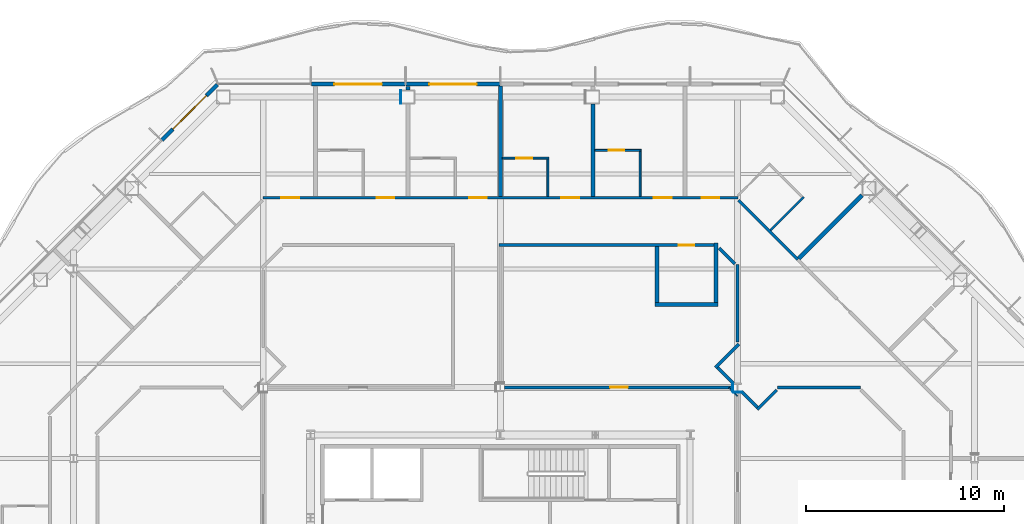
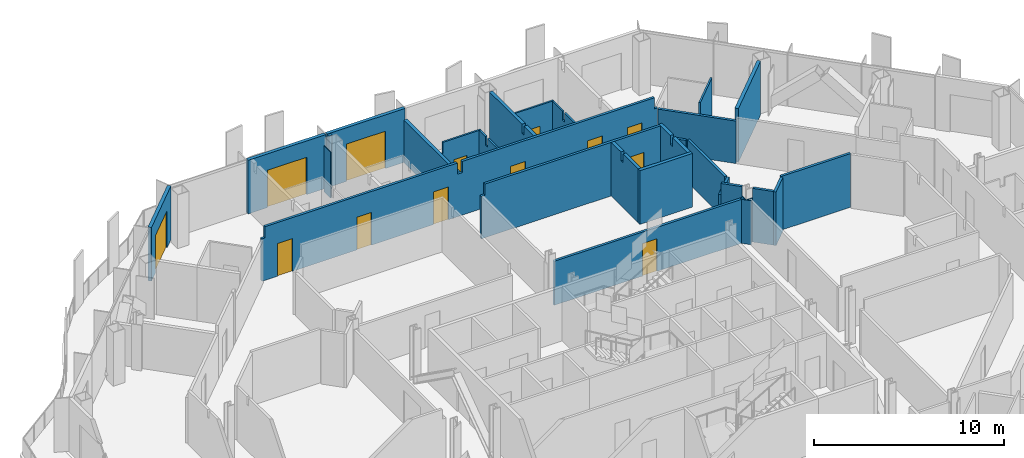
# One storey, part 13 of 21: 30 walls, 13 doors, 13 openings.
"""IFC4 building model written with IfcOpenShell, lengths in metres."""

from ifc_helpers import new_model, si_unit, direction, frame, frame_2d, origin, place, context, subcontext, project, spatial, polyline, rectangle, outline, extrude, material, layer, layer_set, type_object, element, fill, save


model = new_model("IFC4")

# Units and contexts
model_context = context("Model", 3, precision=1e-05, world=origin(), true_north=direction((0.0, 1.0)))
body_context = subcontext(model_context, "Body", "Model", "MODEL_VIEW")
ifc_project = project(units=[si_unit("LENGTHUNIT", "METRE"), si_unit("AREAUNIT", "SQUARE_METRE"), si_unit("VOLUMEUNIT", "CUBIC_METRE"), si_unit("PLANEANGLEUNIT", "RADIAN"), si_unit("MASSUNIT", "GRAM", prefix="KILO")], contexts=[model_context])

# Site, building, storey
site_placement = place(None, origin())
site = spatial("IfcSite", under=ifc_project, at=site_placement, CompositionType="ELEMENT")
building_placement = place(site_placement, origin())
building = spatial("IfcBuilding", under=site, at=building_placement, Name="Cairn Pilgrim Tower", CompositionType="ELEMENT")
storey_placement = place(building_placement, frame((0.0, 0.0, 143.39990234375)))
storey = spatial("IfcBuildingStorey", under=building, at=storey_placement, Name="L35", CompositionType="ELEMENT", Elevation=143.39990234375)

# Wall, opening, door
ifc_material_1 = material(Name="Bronze anodised aluminium insulated sandwich panel with mineral wool fill", Category="aluminium")
ifc_layer_1 = layer(ifc_material_1, 0.199951171875)
ifc_layer_set_1 = layer_set([ifc_layer_1], Name="BRONZE INFILL FRAME WALL 200")
wall_type_1 = type_object("IfcWallType", Name="BRONZE INFILL FRAME WALL 200", PredefinedType="NOTDEFINED", material=ifc_layer_set_1)
wall_1_placement = place(storey_placement, frame((7.169921875, 28.550048828125, 0.0), z_axis=(0.0, 0.0, 1.0), x_axis=(-1.0, 0.0, 0.0)))
wall_1 = element("IfcWall", 1, at=wall_1_placement, inside=storey, type_object=wall_type_1, Name="Bronze infill frame wall IW-N4", PredefinedType="NOTDEFINED", context=body_context, shape_type="SweptSolid", body=[
    extrude(rectangle(XDim=4.739990234375, YDim=0.199951171875, at=frame_2d((2.3701171875, 0.0))), origin(), (0.0, 0.0, 1.0), 3.4501953125),
])
opening_1_placement = place(wall_1_placement, frame((1.169921875, 0.0, 0.0)))
opening_1 = element("IfcOpeningElement", 2, at=opening_1_placement, cuts=wall_1, Name="Opening 3513B", PredefinedType="OPENING", context=body_context, shape_type="SweptSolid", body=[
    extrude(rectangle(XDim=2.39990234375, YDim=2.39990234375, at=frame_2d((1.199951171875, 1.199951171875))), frame((0.0, 0.10986328125, 0.0), z_axis=(0.0, -1.0, 0.0), x_axis=(1.0, 0.0, 0.0)), (0.0, 0.0, 1.0), 0.219970703125),
])
ifc_material_2 = material(Name="Bronze anodised aluminium frame with tinted low-E glass", Category="aluminium")
door_type_1 = type_object("IfcDoorType", Name="BALCONY SLIDING DOOR 2400x2400", OperationType="DOUBLE_DOOR_SLIDING", PredefinedType="DOOR", material=ifc_material_2)
door_1_placement = place(opening_1_placement, origin())
door_1 = element("IfcDoor", 3, at=door_1_placement, inside=storey, type_object=door_type_1, Name="Balcony sliding door 3513B", OperationType="SINGLE_SWING_LEFT", OverallHeight=2.39990234375, OverallWidth=2.39990234375, PredefinedType="DOOR", context=body_context, shape_type="SweptSolid", body=[
    extrude(rectangle(XDim=2.39990234375, YDim=2.39990234375, at=frame_2d((1.199951171875, 1.199951171875))), frame((0.0, 0.02490234375, 0.0), z_axis=(0.0, -1.0, 0.0), x_axis=(1.0, 0.0, 0.0)), (0.0, 0.0, 1.0), 0.050048828125),
])
fill(opening_1, door_1)

wall_2_placement = place(storey_placement, frame((2.3701171875, 28.550048828125, 0.0), z_axis=(0.0, 0.0, 1.0), x_axis=(-1.0, 0.0, 0.0)))
wall_2 = element("IfcWall", 4, at=wall_2_placement, inside=storey, type_object=wall_type_1, Name="Bronze infill frame wall IW-N5", PredefinedType="NOTDEFINED", context=body_context, shape_type="SweptSolid", body=[
    extrude(rectangle(XDim=4.740234375, YDim=0.199951171875, at=frame_2d((2.3701171875, 0.0))), origin(), (0.0, 0.0, 1.0), 3.4501953125),
])
opening_2_placement = place(wall_2_placement, frame((1.169677734375, 0.0, 0.0)))
opening_2 = element("IfcOpeningElement", 5, at=opening_2_placement, cuts=wall_2, Name="Opening 3514B", PredefinedType="OPENING", context=body_context, shape_type="SweptSolid", body=[
    extrude(rectangle(XDim=2.39990234375, YDim=2.39990234375, at=frame_2d((1.199951171875, 1.199951171875))), frame((0.0, 0.10986328125, 0.0), z_axis=(0.0, -1.0, 0.0), x_axis=(1.0, 0.0, 0.0)), (0.0, 0.0, 1.0), 0.219970703125),
])
door_2_placement = place(opening_2_placement, origin())
door_2 = element("IfcDoor", 6, at=door_2_placement, inside=storey, type_object=door_type_1, Name="Balcony sliding door 3514B", OperationType="SINGLE_SWING_LEFT", OverallHeight=2.39990234375, OverallWidth=2.39990234375, PredefinedType="DOOR", context=body_context, shape_type="SweptSolid", body=[
    extrude(rectangle(XDim=2.39990234375, YDim=2.39990234375, at=frame_2d((1.199951171875, 1.199951171875))), frame((0.0, 0.02490234375, 0.0), z_axis=(0.0, -1.0, 0.0), x_axis=(1.0, 0.0, 0.0)), (0.0, 0.0, 1.0), 0.050048828125),
])
fill(opening_2, door_2)

wall_3_placement = place(storey_placement, frame((-7.124755859375, 28.521728515625, 0.0), z_axis=(0.0, 0.0, 1.0), x_axis=(-0.707106781187, -0.707106781187, 0.0)))
wall_3 = element("IfcWall", 7, at=wall_3_placement, inside=storey, type_object=wall_type_1, Name="Bronze infill frame wall IW-NW1", PredefinedType="NOTDEFINED", context=body_context, shape_type="SweptSolid", body=[
    extrude(rectangle(XDim=3.961669921875, YDim=0.199951171875, at=frame_2d((1.98095703125, 0.0))), origin(), (0.0, 0.0, 1.0), 3.4501953125),
])
opening_3_placement = place(wall_3_placement, frame((0.775390625, 0.0, 0.0)))
opening_3 = element("IfcOpeningElement", 8, at=opening_3_placement, cuts=wall_3, Name="Opening 3515B", PredefinedType="OPENING", context=body_context, shape_type="SweptSolid", body=[
    extrude(rectangle(XDim=2.39990234375, YDim=2.39990234375, at=frame_2d((1.199951171875, 1.199951171875))), frame((0.0, 0.10986328125, 0.0), z_axis=(0.0, -1.0, 0.0), x_axis=(1.0, 0.0, 0.0)), (0.0, 0.0, 1.0), 0.219970703125),
])
door_3_placement = place(opening_3_placement, origin())
door_3 = element("IfcDoor", 9, at=door_3_placement, inside=storey, type_object=door_type_1, Name="Balcony sliding door 3515B", OperationType="SINGLE_SWING_LEFT", OverallHeight=2.39990234375, OverallWidth=2.39990234375, PredefinedType="DOOR", context=body_context, shape_type="SweptSolid", body=[
    extrude(rectangle(XDim=2.39990234375, YDim=2.39990234375, at=frame_2d((1.199951171875, 1.199951171875))), frame((0.0, 0.02490234375, 0.0), z_axis=(0.0, -1.0, 0.0), x_axis=(1.0, 0.0, 0.0)), (0.0, 0.0, 1.0), 0.050048828125),
])
fill(opening_3, door_3)

# Walls
ifc_material_3 = material(Name="Gypsum partition")
ifc_layer_2 = layer(ifc_material_3, 0.10009765625)
ifc_layer_set_2 = layer_set([ifc_layer_2], Name="PARTITION 100 DRYWALL")
wall_type_2 = type_object("IfcWallType", Name="PARTITION 100 DRYWALL", PredefinedType="PARTITIONING", material=ifc_layer_set_2)
wall_4_placement = place(storey_placement, frame((20.864990234375, 21.156005859375, 0.0), z_axis=(0.0, 0.0, 1.0), x_axis=(0.707106781187, 0.707106781187, 0.0)))
element("IfcWall", 10, at=wall_4_placement, inside=storey, type_object=wall_type_2, Name="PARTITION W110", PredefinedType="PARTITIONING", context=body_context, shape_type="SweptSolid", body=[
    extrude(rectangle(XDim=2.374755859375, YDim=0.10009765625, at=frame_2d((1.1875, 0.0))), origin(), (0.0, 0.0, 1.0), 3.4501953125),
])
wall_5_placement = place(storey_placement, frame((9.60009765625, 22.875, 0.0), z_axis=(0.0, 0.0, 1.0), x_axis=(0.0, 1.0, 0.0)))
element("IfcWall", 11, at=wall_5_placement, inside=storey, type_object=wall_type_2, Name="PARTITION W121", PredefinedType="PARTITIONING", context=body_context, shape_type="SweptSolid", body=[
    extrude(outline(polyline([(0.0, 0.0), (1.875, 0.0), (1.875, 3.4501953125), (1.22998046875, 3.4501953125), (1.22802734375, 2.880126953125), (1.02001953125, 2.880126953125), (1.01806640625, 3.4501953125), (0.0, 3.4501953125), (0.0, 0.0)])), frame((0.0, 0.050048828125, 0.0), z_axis=(0.0, -1.0, 0.0), x_axis=(1.0, 0.0, 0.0)), (0.0, 0.0, 1.0), 0.10009765625),
])
wall_6_placement = place(storey_placement, frame((14.27587890625, 22.875, 0.0), z_axis=(0.0, 0.0, 1.0), x_axis=(0.0, 1.0, 0.0)))
element("IfcWall", 12, at=wall_6_placement, inside=storey, type_object=wall_type_2, Name="PARTITION W123", PredefinedType="PARTITIONING", context=body_context, shape_type="SweptSolid", body=[
    extrude(outline(polyline([(0.0, 0.0), (2.27490234375, 0.0), (2.27490234375, 3.4501953125), (1.22998046875, 3.4501953125), (1.22802734375, 2.880126953125), (1.02001953125, 2.880126953125), (1.01806640625, 3.4501953125), (0.0, 3.4501953125), (0.0, 0.0)])), frame((0.0, 0.050048828125, 0.0), z_axis=(0.0, -1.0, 0.0), x_axis=(1.0, 0.0, 0.0)), (0.0, 0.0, 1.0), 0.10009765625),
])

# Wall, opening, door
wall_7_placement = place(storey_placement, frame((7.300048828125, 24.800048828125, 0.0), z_axis=(0.0, 0.0, 1.0), x_axis=(1.0, 0.0, 0.0)))
wall_7 = element("IfcWall", 13, at=wall_7_placement, inside=storey, type_object=wall_type_2, Name="PARTITION W127", PredefinedType="PARTITIONING", context=body_context, shape_type="SweptSolid", body=[
    extrude(outline(polyline([(0.0, 0.0), (2.349853515625, 0.0), (2.35009765625, 3.4501953125), (0.050048828125, 3.4501953125), (0.048095703125, 2.72998046875), (0.0, 2.72998046875), (0.0, 0.0)])), frame((0.0, 0.050048828125, 0.0), z_axis=(0.0, -1.0, 0.0), x_axis=(1.0, 0.0, 0.0)), (0.0, 0.0, 1.0), 0.10009765625),
])
opening_4_placement = place(wall_7_placement, frame((0.699951171875, 0.0, 0.0)))
opening_4 = element("IfcOpeningElement", 14, at=opening_4_placement, cuts=wall_7, Name="Opening 3512A", PredefinedType="OPENING", context=body_context, shape_type="SweptSolid", body=[
    extrude(rectangle(XDim=0.800048828125, YDim=2.10009765625, at=frame_2d((0.39990234375, 1.050048828125))), frame((0.0, 0.06005859375, 0.0), z_axis=(0.0, -1.0, 0.0), x_axis=(1.0, 0.0, 0.0)), (0.0, 0.0, 1.0), 0.1201171875),
])
ifc_material_4 = material(Name="Timber door leaf", Category="wood")
door_type_2 = type_object("IfcDoorType", Name="WC DOOR 800x2100", OperationType="NOTDEFINED", PredefinedType="DOOR", material=ifc_material_4)
door_4_placement = place(opening_4_placement, origin())
door_4 = element("IfcDoor", 15, at=door_4_placement, inside=storey, type_object=door_type_2, Name="DOOR 3512A", OperationType="SINGLE_SWING_RIGHT", OverallHeight=2.10009765625, OverallWidth=0.800048828125, PredefinedType="DOOR", context=body_context, shape_type="SweptSolid", body=[
    extrude(rectangle(XDim=0.800048828125, YDim=2.10009765625, at=frame_2d((0.39990234375, 1.050048828125))), frame((0.0, 0.02490234375, 0.0), z_axis=(0.0, -1.0, 0.0), x_axis=(1.0, 0.0, 0.0)), (0.0, 0.0, 1.0), 0.050048828125),
])
fill(opening_4, door_4)

wall_8_placement = place(storey_placement, frame((11.97607421875, 25.199951171875, 0.0), z_axis=(0.0, 0.0, 1.0), x_axis=(1.0, 0.0, 0.0)))
wall_8 = element("IfcWall", 16, at=wall_8_placement, inside=storey, type_object=wall_type_2, Name="PARTITION W129", PredefinedType="PARTITIONING", context=body_context, shape_type="SweptSolid", body=[
    extrude(rectangle(XDim=2.349853515625, YDim=0.10009765625, at=frame_2d((1.1748046875, 0.0))), origin(), (0.0, 0.0, 1.0), 3.4501953125),
])
opening_5_placement = place(wall_8_placement, frame((0.699951171875, 0.0, 0.0)))
opening_5 = element("IfcOpeningElement", 17, at=opening_5_placement, cuts=wall_8, Name="Opening 3511A", PredefinedType="OPENING", context=body_context, shape_type="SweptSolid", body=[
    extrude(rectangle(XDim=0.800048828125, YDim=2.10009765625, at=frame_2d((0.39990234375, 1.050048828125))), frame((0.0, 0.06005859375, 0.0), z_axis=(0.0, -1.0, 0.0), x_axis=(1.0, 0.0, 0.0)), (0.0, 0.0, 1.0), 0.1201171875),
])
door_5_placement = place(opening_5_placement, origin())
door_5 = element("IfcDoor", 18, at=door_5_placement, inside=storey, type_object=door_type_2, Name="DOOR 3511A", OperationType="SINGLE_SWING_RIGHT", OverallHeight=2.10009765625, OverallWidth=0.800048828125, PredefinedType="DOOR", context=body_context, shape_type="SweptSolid", body=[
    extrude(rectangle(XDim=0.800048828125, YDim=2.10009765625, at=frame_2d((0.39990234375, 1.050048828125))), frame((0.0, 0.02490234375, 0.0), z_axis=(0.0, -1.0, 0.0), x_axis=(1.0, 0.0, 0.0)), (0.0, 0.0, 1.0), 0.050048828125),
])
fill(opening_5, door_5)

# Walls
ifc_layer_3 = layer(ifc_material_3, 0.14990234375)
ifc_layer_set_3 = layer_set([ifc_layer_3], Name="PARTITION 150 DRYWALL EI 60")
wall_type_3 = type_object("IfcWallType", Name="PARTITION 150 DRYWALL EI 60", PredefinedType="PARTITIONING", material=ifc_layer_set_3)
wall_9_placement = place(storey_placement, frame((20.2080078125, 12.0859375, 0.0), z_axis=(0.0, 0.0, 1.0), x_axis=(0.706756381459, 0.707457007363, 0.0)))
element("IfcWall", 19, at=wall_9_placement, inside=storey, type_object=wall_type_3, Name="PARTITION W074", PredefinedType="PARTITIONING", context=body_context, shape_type="SweptSolid", body=[
    extrude(rectangle(XDim=1.393798828125, YDim=0.14990234375, at=frame_2d((0.69677734375, 0.0))), origin(), (0.0, 0.0, 1.0), 3.4501953125),
])
wall_10_placement = place(storey_placement, frame((20.2080078125, 12.192138671875, 0.0), z_axis=(0.0, 0.0, 1.0), x_axis=(-0.70721474466, 0.706998801226, 0.0)))
element("IfcWall", 20, at=wall_10_placement, inside=storey, type_object=wall_type_3, Name="PARTITION W076", PredefinedType="PARTITIONING", context=body_context, shape_type="SweptSolid", body=[
    extrude(rectangle(XDim=1.130615234375, YDim=0.14990234375, at=frame_2d((0.5654296875, 0.0))), origin(), (0.0, 0.0, 1.0), 3.4501953125),
])

# Wall, opening, door
wall_11_placement = place(storey_placement, frame((7.404541015625, 13.199951171875, 0.0), z_axis=(0.0, 0.0, 1.0), x_axis=(1.0, 0.0, 0.0)))
wall_11 = element("IfcWall", 21, at=wall_11_placement, inside=storey, type_object=wall_type_3, Name="PARTITION W079", PredefinedType="PARTITIONING", context=body_context, shape_type="SweptSolid", body=[
    extrude(rectangle(XDim=11.591064453125, YDim=0.14990234375, at=frame_2d((5.79541015625, 0.0))), origin(), (0.0, 0.0, 1.0), 2.830078125),
])
opening_6_placement = place(wall_11_placement, frame((5.345458984375, 0.0, 0.0)))
opening_6 = element("IfcOpeningElement", 22, at=opening_6_placement, cuts=wall_11, Name="Opening 3527", PredefinedType="OPENING", context=body_context, shape_type="SweptSolid", body=[
    extrude(rectangle(XDim=0.89990234375, YDim=2.10009765625, at=frame_2d((0.449951171875, 1.050048828125))), frame((0.0, 0.0849609375, 0.0), z_axis=(0.0, -1.0, 0.0), x_axis=(1.0, 0.0, 0.0)), (0.0, 0.0, 1.0), 0.169921875),
])
door_type_3 = type_object("IfcDoorType", Name="SERVICE DOOR 900x2100 FD30S", OperationType="NOTDEFINED", PredefinedType="DOOR", material=ifc_material_4)
door_6_placement = place(opening_6_placement, origin())
door_6 = element("IfcDoor", 23, at=door_6_placement, inside=storey, type_object=door_type_3, Name="DOOR 3527", OperationType="SINGLE_SWING_LEFT", OverallHeight=2.10009765625, OverallWidth=0.89990234375, PredefinedType="DOOR", context=body_context, shape_type="SweptSolid", body=[
    extrude(rectangle(XDim=0.89990234375, YDim=2.10009765625, at=frame_2d((0.449951171875, 1.050048828125))), frame((0.0, 0.02490234375, 0.0), z_axis=(0.0, -1.0, 0.0), x_axis=(1.0, 0.0, 0.0)), (0.0, 0.0, 1.0), 0.050048828125),
])
fill(opening_6, door_6)

# Walls
wall_12_placement = place(storey_placement, frame((21.215087890625, 13.199951171875, 0.0), z_axis=(0.0, 0.0, 1.0), x_axis=(1.0, 0.0, 0.0)))
element("IfcWall", 24, at=wall_12_placement, inside=storey, type_object=wall_type_3, Name="PARTITION W080", PredefinedType="PARTITIONING", context=body_context, shape_type="SweptSolid", body=[
    extrude(rectangle(XDim=4.2119140625, YDim=0.14990234375, at=frame_2d((2.10595703125, 0.0))), origin(), (0.0, 0.0, 1.0), 3.4501953125),
])
wall_13_placement = place(storey_placement, frame((18.991455078125, 13.408447265625, 0.0), z_axis=(0.0, 0.0, 1.0), x_axis=(-0.706998801226, 0.70721474466, 0.0)))
element("IfcWall", 25, at=wall_13_placement, inside=storey, type_object=wall_type_3, Name="PARTITION W085", PredefinedType="PARTITIONING", context=body_context, shape_type="SweptSolid", body=[
    extrude(rectangle(XDim=1.130615234375, YDim=0.14990234375, at=frame_2d((0.5654296875, 0.0))), origin(), (0.0, 0.0, 1.0), 3.4501953125),
])
wall_14_placement = place(storey_placement, frame((18.0859375, 14.2080078125, 0.0), z_axis=(0.0, 0.0, 1.0), x_axis=(0.70739723372, 0.706816209298, 0.0)))
element("IfcWall", 26, at=wall_14_placement, inside=storey, type_object=wall_type_3, Name="PARTITION W087", PredefinedType="PARTITIONING", context=body_context, shape_type="SweptSolid", body=[
    extrude(rectangle(XDim=1.6806640625, YDim=0.14990234375, at=frame_2d((0.84033203125, 0.0))), origin(), (0.0, 0.0, 1.0), 2.72998046875),
])
wall_15_placement = place(storey_placement, frame((19.199951171875, 15.501953125, 0.0), z_axis=(0.0, 0.0, 1.0), x_axis=(0.0, 1.0, 0.0)))
element("IfcWall", 27, at=wall_15_placement, inside=storey, type_object=wall_type_3, Name="PARTITION W093", PredefinedType="PARTITIONING", context=body_context, shape_type="SweptSolid", body=[
    extrude(rectangle(XDim=3.925048828125, YDim=0.14990234375, at=frame_2d((1.96240234375, 0.0))), origin(), (0.0, 0.0, 1.0), 2.72998046875),
])
wall_16_placement = place(storey_placement, frame((19.072021484375, 19.448974609375, 0.0), z_axis=(0.0, 0.0, 1.0), x_axis=(-0.707106781187, 0.707106781187, 0.0)))
element("IfcWall", 28, at=wall_16_placement, inside=storey, type_object=wall_type_3, Name="PARTITION W104", PredefinedType="PARTITIONING", context=body_context, shape_type="SweptSolid", body=[
    extrude(rectangle(XDim=1.12841796875, YDim=0.14990234375, at=frame_2d((0.564208984375, 0.0))), origin(), (0.0, 0.0, 1.0), 2.72998046875),
])
wall_17_placement = place(storey_placement, frame((22.2451171875, 19.669921875, 0.0), z_axis=(0.0, 0.0, 1.0), x_axis=(-0.707106781187, 0.707106781187, 0.0)))
element("IfcWall", 29, at=wall_17_placement, inside=storey, type_object=wall_type_3, Name="PARTITION W106", PredefinedType="PARTITIONING", context=body_context, shape_type="SweptSolid", body=[
    extrude(rectangle(XDim=4.245849609375, YDim=0.14990234375, at=frame_2d((2.123046875, 0.0))), origin(), (0.0, 0.0, 1.0), 2.72998046875),
])

# Wall, opening, door
wall_18_placement = place(storey_placement, frame((7.125, 20.39990234375, 0.0), z_axis=(0.0, 0.0, 1.0), x_axis=(1.0, 0.0, 0.0)))
wall_18 = element("IfcWall", 30, at=wall_18_placement, inside=storey, type_object=wall_type_3, Name="PARTITION W109", PredefinedType="PARTITIONING", context=body_context, shape_type="SweptSolid", body=[
    extrude(outline(polyline([(0.0, 0.0), (10.89599609375, 0.0), (10.89599609375, 3.4501953125), (0.22509765625, 3.4501953125), (0.222900390625, 2.72998046875), (0.0, 2.72998046875), (0.0, 0.0)])), frame((0.0, 0.074951171875, 0.0), z_axis=(0.0, -1.0, 0.0), x_axis=(1.0, 0.0, 0.0)), (0.0, 0.0, 1.0), 0.14990234375),
])
opening_7_placement = place(wall_18_placement, frame((9.095947265625, 0.0, 0.0)))
opening_7 = element("IfcOpeningElement", 31, at=opening_7_placement, cuts=wall_18, Name="Opening 3523", PredefinedType="OPENING", context=body_context, shape_type="SweptSolid", body=[
    extrude(rectangle(XDim=0.800048828125, YDim=2.10009765625, at=frame_2d((0.39990234375, 1.050048828125))), frame((0.0, 0.0849609375, 0.0), z_axis=(0.0, -1.0, 0.0), x_axis=(1.0, 0.0, 0.0)), (0.0, 0.0, 1.0), 0.169921875),
])
door_type_4 = type_object("IfcDoorType", Name="WC DOOR 800x2100 FD30S", OperationType="NOTDEFINED", PredefinedType="DOOR", material=ifc_material_4)
door_7_placement = place(opening_7_placement, frame((0.800048828125, 0.0, 0.0), z_axis=(0.0, 0.0, 1.0), x_axis=(-1.0, 0.0, 0.0)))
door_7 = element("IfcDoor", 32, at=door_7_placement, inside=storey, type_object=door_type_4, Name="DOOR 3523", OperationType="SINGLE_SWING_LEFT", OverallHeight=2.10009765625, OverallWidth=0.800048828125, PredefinedType="DOOR", context=body_context, shape_type="SweptSolid", body=[
    extrude(rectangle(XDim=0.800048828125, YDim=2.10009765625, at=frame_2d((0.39990234375, 1.050048828125))), frame((0.0, 0.02490234375, 0.0), z_axis=(0.0, -1.0, 0.0), x_axis=(1.0, 0.0, 0.0)), (0.0, 0.0, 1.0), 0.050048828125),
])
fill(opening_7, door_7)

# Wall, openings, doors
wall_19_placement = place(storey_placement, frame((-4.821044921875, 22.800048828125, 0.0), z_axis=(0.0, 0.0, 1.0), x_axis=(1.0, 0.0, 0.0)))
wall_19 = element("IfcWall", 33, at=wall_19_placement, inside=storey, type_object=wall_type_3, Name="PARTITION W114", PredefinedType="PARTITIONING", context=body_context, shape_type="SweptSolid", body=[
    extrude(outline(polyline([(0.0, 0.0), (24.0419921875, 0.0), (24.0419921875, 2.72998046875), (23.87109375, 2.72998046875), (23.869140625, 3.4501953125), (12.171142578125, 3.4501953125), (12.169189453125, 2.72998046875), (11.87109375, 2.72998046875), (11.869140625, 3.4501953125), (0.171142578125, 3.4501953125), (0.169189453125, 2.72998046875), (0.0, 2.72998046875), (0.0, 0.0)])), frame((0.0, 0.074951171875, 0.0), z_axis=(0.0, -1.0, 0.0), x_axis=(1.0, 0.0, 0.0)), (0.0, 0.0, 1.0), 0.14990234375),
])
opening_8_placement = place(wall_19_placement, frame((22.205078125, 0.0, 0.0)))
opening_8 = element("IfcOpeningElement", 34, at=opening_8_placement, cuts=wall_19, Name="Opening 3510", PredefinedType="OPENING", context=body_context, shape_type="SweptSolid", body=[
    extrude(rectangle(XDim=0.89990234375, YDim=2.10009765625, at=frame_2d((0.449951171875, 1.050048828125))), frame((0.0, 0.0849609375, 0.0), z_axis=(0.0, -1.0, 0.0), x_axis=(1.0, 0.0, 0.0)), (0.0, 0.0, 1.0), 0.169921875),
])
opening_9_placement = place(wall_19_placement, frame((19.78515625, 0.0, 0.0)))
opening_9 = element("IfcOpeningElement", 35, at=opening_9_placement, cuts=wall_19, Name="Opening 3511", PredefinedType="OPENING", context=body_context, shape_type="SweptSolid", body=[
    extrude(rectangle(XDim=0.89990234375, YDim=2.10009765625, at=frame_2d((0.449951171875, 1.050048828125))), frame((0.0, 0.0849609375, 0.0), z_axis=(0.0, -1.0, 0.0), x_axis=(1.0, 0.0, 0.0)), (0.0, 0.0, 1.0), 0.169921875),
])
opening_10_placement = place(wall_19_placement, frame((15.109130859375, 0.0, 0.0)))
opening_10 = element("IfcOpeningElement", 36, at=opening_10_placement, cuts=wall_19, Name="Opening 3512", PredefinedType="OPENING", context=body_context, shape_type="SweptSolid", body=[
    extrude(rectangle(XDim=0.89990234375, YDim=2.10009765625, at=frame_2d((0.449951171875, 1.050048828125))), frame((0.0, 0.0849609375, 0.0), z_axis=(0.0, -1.0, 0.0), x_axis=(1.0, 0.0, 0.0)), (0.0, 0.0, 1.0), 0.169921875),
])
opening_11_placement = place(wall_19_placement, frame((10.43310546875, 0.0, 0.0)))
opening_11 = element("IfcOpeningElement", 37, at=opening_11_placement, cuts=wall_19, Name="Opening 3513", PredefinedType="OPENING", context=body_context, shape_type="SweptSolid", body=[
    extrude(rectangle(XDim=0.89990234375, YDim=2.10009765625, at=frame_2d((0.449951171875, 1.050048828125))), frame((0.0, 0.0849609375, 0.0), z_axis=(0.0, -1.0, 0.0), x_axis=(1.0, 0.0, 0.0)), (0.0, 0.0, 1.0), 0.169921875),
])
opening_12_placement = place(wall_19_placement, frame((5.757080078125, 0.0, 0.0)))
opening_12 = element("IfcOpeningElement", 38, at=opening_12_placement, cuts=wall_19, Name="Opening 3514", PredefinedType="OPENING", context=body_context, shape_type="SweptSolid", body=[
    extrude(rectangle(XDim=0.89990234375, YDim=2.10009765625, at=frame_2d((0.449951171875, 1.050048828125))), frame((0.0, 0.0849609375, 0.0), z_axis=(0.0, -1.0, 0.0), x_axis=(1.0, 0.0, 0.0)), (0.0, 0.0, 1.0), 0.169921875),
])
opening_13_placement = place(wall_19_placement, frame((0.93798828125, 0.0, 0.0)))
opening_13 = element("IfcOpeningElement", 39, at=opening_13_placement, cuts=wall_19, Name="Opening 3515", PredefinedType="OPENING", context=body_context, shape_type="SweptSolid", body=[
    extrude(rectangle(XDim=0.89990234375, YDim=2.10009765625, at=frame_2d((0.449951171875, 1.050048828125))), frame((0.0, 0.0849609375, 0.0), z_axis=(0.0, -1.0, 0.0), x_axis=(1.0, 0.0, 0.0)), (0.0, 0.0, 1.0), 0.169921875),
])
door_type_5 = type_object("IfcDoorType", Name="ROOM DOOR 900x2100 FD30S", OperationType="NOTDEFINED", PredefinedType="DOOR", material=ifc_material_4)
door_8_placement = place(opening_8_placement, origin())
door_8 = element("IfcDoor", 40, at=door_8_placement, inside=storey, type_object=door_type_5, Name="DOOR 3510", OperationType="SINGLE_SWING_RIGHT", OverallHeight=2.10009765625, OverallWidth=0.89990234375, PredefinedType="DOOR", context=body_context, shape_type="SweptSolid", body=[
    extrude(rectangle(XDim=0.89990234375, YDim=2.10009765625, at=frame_2d((0.449951171875, 1.050048828125))), frame((0.0, 0.02490234375, 0.0), z_axis=(0.0, -1.0, 0.0), x_axis=(1.0, 0.0, 0.0)), (0.0, 0.0, 1.0), 0.050048828125),
])
fill(opening_8, door_8)
door_9_placement = place(opening_9_placement, origin())
door_9 = element("IfcDoor", 41, at=door_9_placement, inside=storey, type_object=door_type_5, Name="DOOR 3511", OperationType="SINGLE_SWING_RIGHT", OverallHeight=2.10009765625, OverallWidth=0.89990234375, PredefinedType="DOOR", context=body_context, shape_type="SweptSolid", body=[
    extrude(rectangle(XDim=0.89990234375, YDim=2.10009765625, at=frame_2d((0.449951171875, 1.050048828125))), frame((0.0, 0.02490234375, 0.0), z_axis=(0.0, -1.0, 0.0), x_axis=(1.0, 0.0, 0.0)), (0.0, 0.0, 1.0), 0.050048828125),
])
fill(opening_9, door_9)
door_10_placement = place(opening_10_placement, origin())
door_10 = element("IfcDoor", 42, at=door_10_placement, inside=storey, type_object=door_type_5, Name="DOOR 3512", OperationType="SINGLE_SWING_RIGHT", OverallHeight=2.10009765625, OverallWidth=0.89990234375, PredefinedType="DOOR", context=body_context, shape_type="SweptSolid", body=[
    extrude(rectangle(XDim=0.89990234375, YDim=2.10009765625, at=frame_2d((0.449951171875, 1.050048828125))), frame((0.0, 0.02490234375, 0.0), z_axis=(0.0, -1.0, 0.0), x_axis=(1.0, 0.0, 0.0)), (0.0, 0.0, 1.0), 0.050048828125),
])
fill(opening_10, door_10)
door_11_placement = place(opening_11_placement, origin())
door_11 = element("IfcDoor", 43, at=door_11_placement, inside=storey, type_object=door_type_5, Name="DOOR 3513", OperationType="SINGLE_SWING_RIGHT", OverallHeight=2.10009765625, OverallWidth=0.89990234375, PredefinedType="DOOR", context=body_context, shape_type="SweptSolid", body=[
    extrude(rectangle(XDim=0.89990234375, YDim=2.10009765625, at=frame_2d((0.449951171875, 1.050048828125))), frame((0.0, 0.02490234375, 0.0), z_axis=(0.0, -1.0, 0.0), x_axis=(1.0, 0.0, 0.0)), (0.0, 0.0, 1.0), 0.050048828125),
])
fill(opening_11, door_11)
door_12_placement = place(opening_12_placement, origin())
door_12 = element("IfcDoor", 44, at=door_12_placement, inside=storey, type_object=door_type_5, Name="DOOR 3514", OperationType="SINGLE_SWING_RIGHT", OverallHeight=2.10009765625, OverallWidth=0.89990234375, PredefinedType="DOOR", context=body_context, shape_type="SweptSolid", body=[
    extrude(rectangle(XDim=0.89990234375, YDim=2.10009765625, at=frame_2d((0.449951171875, 1.050048828125))), frame((0.0, 0.02490234375, 0.0), z_axis=(0.0, -1.0, 0.0), x_axis=(1.0, 0.0, 0.0)), (0.0, 0.0, 1.0), 0.050048828125),
])
fill(opening_12, door_12)
door_13_placement = place(opening_13_placement, origin())
door_13 = element("IfcDoor", 45, at=door_13_placement, inside=storey, type_object=door_type_5, Name="DOOR 3515", OperationType="SINGLE_SWING_RIGHT", OverallHeight=2.10009765625, OverallWidth=0.89990234375, PredefinedType="DOOR", context=body_context, shape_type="SweptSolid", body=[
    extrude(rectangle(XDim=0.89990234375, YDim=2.10009765625, at=frame_2d((0.449951171875, 1.050048828125))), frame((0.0, 0.02490234375, 0.0), z_axis=(0.0, -1.0, 0.0), x_axis=(1.0, 0.0, 0.0)), (0.0, 0.0, 1.0), 0.050048828125),
])
fill(opening_13, door_13)

# Walls
ifc_layer_4 = layer(ifc_material_3, 0.050048828125)
ifc_layer_set_4 = layer_set([ifc_layer_4], Name="PARTITION 50 DRYWALL EI 60")
wall_type_4 = type_object("IfcWallType", Name="PARTITION 50 DRYWALL EI 60", PredefinedType="PARTITIONING", material=ifc_layer_set_4)
wall_20_placement = place(storey_placement, frame((18.970458984375, 12.987548828125, 0.0), z_axis=(0.0, 0.0, 1.0), x_axis=(0.0, 1.0, 0.0)))
element("IfcWall", 46, at=wall_20_placement, inside=storey, type_object=wall_type_4, Name="COLUMN CASING WC20", PredefinedType="PARTITIONING", context=body_context, shape_type="SweptSolid", body=[
    extrude(rectangle(XDim=0.425048828125, YDim=0.050048828125, at=frame_2d((0.21240234375, 0.0))), origin(), (0.0, 0.0, 1.0), 2.830078125),
])
wall_21_placement = place(storey_placement, frame((19.182373046875, 12.765380859375, 0.0), z_axis=(0.0, 0.0, 1.0), x_axis=(-0.707106781187, 0.707106781187, 0.0)))
element("IfcWall", 47, at=wall_21_placement, inside=storey, type_object=wall_type_4, Name="COLUMN CASING WC25", PredefinedType="PARTITIONING", context=body_context, shape_type="SweptSolid", body=[
    extrude(rectangle(XDim=0.589599609375, YDim=0.050048828125, at=frame_2d((0.294921875, 0.0))), origin(), (0.0, 0.0, 1.0), 2.830078125),
])
wall_22_placement = place(storey_placement, frame((18.99560546875, 12.96240234375, 0.0), z_axis=(0.0, 0.0, 1.0), x_axis=(1.0, 0.0, 0.0)))
element("IfcWall", 48, at=wall_22_placement, inside=storey, type_object=wall_type_4, Name="COLUMN CASING WC28", PredefinedType="PARTITIONING", context=body_context, shape_type="SweptSolid", body=[
    extrude(rectangle(XDim=0.408935546875, YDim=0.050048828125, at=frame_2d((0.20458984375, 0.0))), origin(), (0.0, 0.0, 1.0), 2.830078125),
])
wall_23_placement = place(storey_placement, frame((2.1494140625, 27.550048828125, 0.0), z_axis=(0.0, 0.0, 1.0), x_axis=(0.0, 1.0, 0.0)))
element("IfcWall", 49, at=wall_23_placement, inside=storey, type_object=wall_type_4, Name="COLUMN CASING WC37", PredefinedType="PARTITIONING", context=body_context, shape_type="SweptSolid", body=[
    extrude(rectangle(XDim=0.699951171875, YDim=0.050048828125, at=frame_2d((0.35009765625, 0.0))), origin(), (0.0, 0.0, 1.0), 2.93017578125),
])
ifc_layer_5 = layer(ifc_material_3, 0.199951171875)
ifc_layer_set_5 = layer_set([ifc_layer_5], Name="SHAFT WALL 200 GYPSUM EI 60")
wall_type_5 = type_object("IfcWallType", Name="SHAFT WALL 200 GYPSUM EI 60", PredefinedType="PARTITIONING", material=ifc_layer_set_5)
wall_24_placement = place(storey_placement, frame((15.02099609375, 17.39990234375, 0.0), z_axis=(0.0, 0.0, 1.0), x_axis=(1.0, 0.0, 0.0)))
element("IfcWall", 50, at=wall_24_placement, inside=storey, type_object=wall_type_5, Name="PARTITION W097", PredefinedType="PARTITIONING", context=body_context, shape_type="SweptSolid", body=[
    extrude(rectangle(XDim=3.199951171875, YDim=0.199951171875, at=frame_2d((1.60009765625, 0.0))), origin(), (0.0, 0.0, 1.0), 3.4501953125),
])
wall_25_placement = place(storey_placement, frame((15.12109375, 17.5, 0.0), z_axis=(0.0, 0.0, 1.0), x_axis=(0.0, 1.0, 0.0)))
element("IfcWall", 51, at=wall_25_placement, inside=storey, type_object=wall_type_5, Name="PARTITION W098", PredefinedType="PARTITIONING", context=body_context, shape_type="SweptSolid", body=[
    extrude(outline(polyline([(0.0, 0.0), (2.824951171875, 0.0), (2.824951171875, 3.4501953125), (1.804931640625, 3.4501953125), (1.802978515625, 2.880126953125), (1.594970703125, 2.880126953125), (1.593017578125, 3.4501953125), (0.0, 3.4501953125), (0.0, 0.0)])), frame((0.0, 0.10009765625, 0.0), z_axis=(0.0, -1.0, 0.0), x_axis=(1.0, 0.0, 0.0)), (0.0, 0.0, 1.0), 0.199951171875),
])
wall_26_placement = place(storey_placement, frame((18.12109375, 17.5, 0.0), z_axis=(0.0, 0.0, 1.0), x_axis=(0.0, 1.0, 0.0)))
element("IfcWall", 52, at=wall_26_placement, inside=storey, type_object=wall_type_5, Name="PARTITION W099", PredefinedType="PARTITIONING", context=body_context, shape_type="SweptSolid", body=[
    extrude(outline(polyline([(0.0, 0.0), (3.016357421875, 0.0), (3.016357421875, 3.4501953125), (1.804931640625, 3.4501953125), (1.802978515625, 2.880126953125), (1.594970703125, 2.880126953125), (1.593017578125, 3.4501953125), (0.0, 3.4501953125), (0.0, 0.0)])), frame((0.0, 0.10009765625, 0.0), z_axis=(0.0, -1.0, 0.0), x_axis=(1.0, 0.0, 0.0)), (0.0, 0.0, 1.0), 0.199951171875),
])
wall_27_placement = place(storey_placement, frame((22.298095703125, 19.722900390625, 0.0), z_axis=(0.0, 0.0, 1.0), x_axis=(0.707160674466, 0.707052883799, 0.0)))
element("IfcWall", 53, at=wall_27_placement, inside=storey, type_object=wall_type_5, Name="PARTITION W107", PredefinedType="PARTITIONING", context=body_context, shape_type="SweptSolid", body=[
    extrude(rectangle(XDim=4.52978515625, YDim=0.199951171875, at=frame_2d((2.264892578125, 0.0))), origin(), (0.0, 0.0, 1.0), 3.4501953125),
])
wall_28_placement = place(storey_placement, frame((7.199951171875, 22.875, 0.0), z_axis=(0.0, 0.0, 1.0), x_axis=(0.0, 1.0, 0.0)))
element("IfcWall", 54, at=wall_28_placement, inside=storey, type_object=wall_type_5, Name="PARTITION W120", PredefinedType="PARTITIONING", context=body_context, shape_type="SweptSolid", body=[
    extrude(rectangle(XDim=5.574951171875, YDim=0.199951171875, at=frame_2d((2.78759765625, 0.0))), origin(), (0.0, 0.0, 1.0), 2.72998046875),
])
wall_29_placement = place(storey_placement, frame((11.8759765625, 22.875, 0.0), z_axis=(0.0, 0.0, 1.0), x_axis=(0.0, 1.0, 0.0)))
element("IfcWall", 55, at=wall_29_placement, inside=storey, type_object=wall_type_5, Name="PARTITION W122", PredefinedType="PARTITIONING", context=body_context, shape_type="SweptSolid", body=[
    extrude(outline(polyline([(0.0, 0.0), (4.675048828125, 0.0), (4.675048828125, 3.4501953125), (1.22998046875, 3.4501953125), (1.22802734375, 2.880126953125), (1.02001953125, 2.880126953125), (1.01806640625, 3.4501953125), (0.0, 3.4501953125), (0.0, 0.0)])), frame((0.0, 0.10009765625, 0.0), z_axis=(0.0, -1.0, 0.0), x_axis=(1.0, 0.0, 0.0)), (0.0, 0.0, 1.0), 0.199951171875),
])
wall_30_placement = place(storey_placement, frame((2.52392578125, 28.25, 0.0), z_axis=(0.0, 0.0, 1.0), x_axis=(0.0, 1.0, 0.0)))
element("IfcWall", 56, at=wall_30_placement, inside=storey, type_object=wall_type_5, Name="PARTITION W130", PredefinedType="PARTITIONING", context=body_context, shape_type="SweptSolid", body=[
    extrude(rectangle(XDim=0.169921875, YDim=0.199951171875, at=frame_2d((0.0849609375, 0.0))), origin(), (0.0, 0.0, 1.0), 3.4501953125),
])

save(model, "model.ifc")
